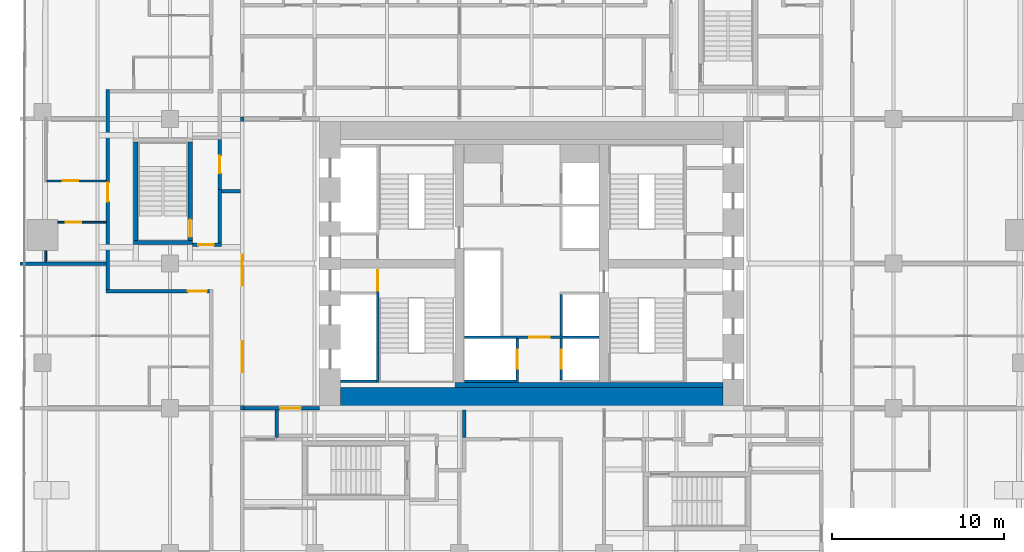
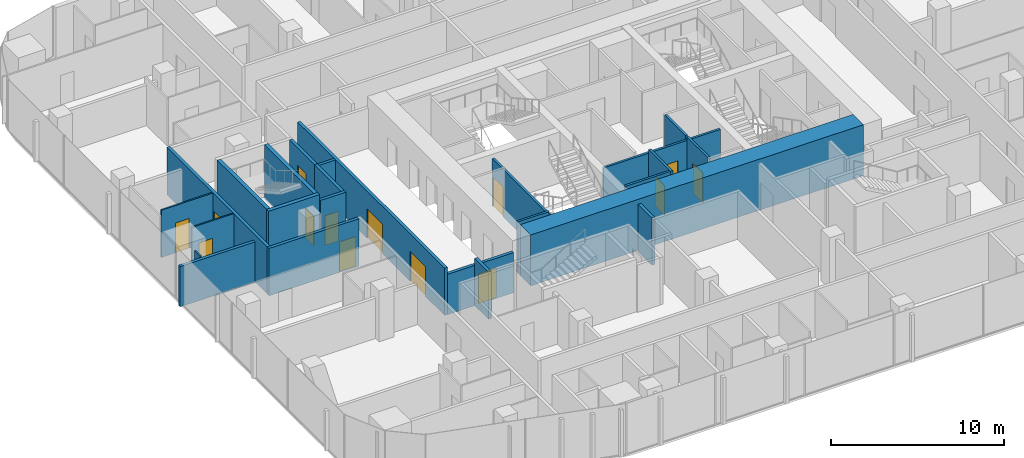
# One storey, part 18 of 27: 26 walls, 14 doors, 14 openings.
"""IFC4 building model written with IfcOpenShell, lengths in metres."""

from ifc_helpers import new_model, si_unit, direction, frame, frame_2d, origin, place, context, subcontext, project, spatial, rectangle, extrude, material, layer, layer_set, type_object, element, fill, save


model = new_model("IFC4")

# Units and contexts
model_context = context("Model", 3, precision=1e-05, world=origin(), true_north=direction((0.0, 1.0)))
body_context = subcontext(model_context, "Body", "Model", "MODEL_VIEW")
ifc_project = project(units=[si_unit("LENGTHUNIT", "METRE"), si_unit("AREAUNIT", "SQUARE_METRE"), si_unit("VOLUMEUNIT", "CUBIC_METRE"), si_unit("PLANEANGLEUNIT", "RADIAN"), si_unit("MASSUNIT", "GRAM", prefix="KILO")], contexts=[model_context])

# Site, building, storey
site_placement = place(None, origin())
site = spatial("IfcSite", under=ifc_project, at=site_placement, CompositionType="ELEMENT")
building_placement = place(site_placement, origin())
building = spatial("IfcBuilding", under=site, at=building_placement, Name="Marenta Gate Hotel Tower", CompositionType="ELEMENT")
storey_placement = place(building_placement, frame((0.0, 0.0, 36.5)))
storey = spatial("IfcBuildingStorey", under=building, at=storey_placement, Name="L06", CompositionType="ELEMENT", Elevation=36.5)

# Wall, openings, doors
ifc_material_1 = material(Name="Concrete blockwork", Category="masonry")
ifc_layer_1 = layer(ifc_material_1, 0.199951171875)
ifc_layer_set_1 = layer_set([ifc_layer_1], Name="Concrete blockwork")
wall_type_1 = type_object("IfcWallType", Name="Core boundary wall 200 REI 180", PredefinedType="PARTITIONING", material=ifc_layer_set_1)
wall_1_placement = place(storey_placement, frame((-16.800048828125, -0.10009765625, 0.0), z_axis=(0.0, 0.0, 1.0), x_axis=(0.0, 1.0, 0.0)))
wall_1 = element("IfcWall", 1, at=wall_1_placement, inside=storey, type_object=wall_type_1, Name="L06-CP-BW-W", PredefinedType="PARTITIONING", context=body_context, shape_type="SweptSolid", body=[
    extrude(rectangle(XDim=17.0, YDim=0.199951171875, at=frame_2d((8.5, 0.0))), origin(), (0.0, 0.0, 1.0), 3.340087890625),
])
opening_1_placement = place(wall_1_placement, frame((2.199951171875, 0.0, 0.0)))
opening_1 = element("IfcOpeningElement", 2, at=opening_1_placement, cuts=wall_1, Name="Opening ED-Wa-B", PredefinedType="OPENING", context=body_context, shape_type="SweptSolid", body=[
    extrude(rectangle(XDim=1.800048828125, YDim=2.10009765625, at=frame_2d((0.89990234375, 1.050048828125))), frame((0.0, 0.10009765625, 0.0), z_axis=(0.0, -1.0, 0.0), x_axis=(1.0, 0.0, 0.0)), (0.0, 0.0, 1.0), 0.199951171875),
])
opening_2_placement = place(wall_1_placement, frame((7.199951171875, 0.0, 0.0)))
opening_2 = element("IfcOpeningElement", 3, at=opening_2_placement, cuts=wall_1, Name="Opening ED-Wb-B", PredefinedType="OPENING", context=body_context, shape_type="SweptSolid", body=[
    extrude(rectangle(XDim=1.800048828125, YDim=2.10009765625, at=frame_2d((0.89990234375, 1.050048828125))), frame((0.0, 0.10009765625, 0.0), z_axis=(0.0, -1.0, 0.0), x_axis=(1.0, 0.0, 0.0)), (0.0, 0.0, 1.0), 0.199951171875),
])
ifc_material_2 = material(Name="Steel", Category="steel")
door_type_1 = type_object("IfcDoorType", Name="Core lobby entrance door 1800x2100 EI 60", OperationType="DOUBLE_DOOR_SINGLE_SWING", PredefinedType="DOOR", material=ifc_material_2)
door_1_placement = place(opening_1_placement, origin())
door_1 = element("IfcDoor", 4, at=door_1_placement, inside=storey, type_object=door_type_1, Name="ED-Wa-B", OperationType="DOUBLE_DOOR_SINGLE_SWING", OverallHeight=2.10009765625, OverallWidth=1.800048828125, PredefinedType="DOOR", context=body_context, shape_type="SweptSolid", body=[
    extrude(rectangle(XDim=1.800048828125, YDim=2.10009765625, at=frame_2d((0.89990234375, 1.050048828125))), frame((0.0, 0.02490234375, 0.0), z_axis=(0.0, -1.0, 0.0), x_axis=(1.0, 0.0, 0.0)), (0.0, 0.0, 1.0), 0.050048828125),
])
fill(opening_1, door_1)
door_2_placement = place(opening_2_placement, origin())
door_2 = element("IfcDoor", 5, at=door_2_placement, inside=storey, type_object=door_type_1, Name="ED-Wb-B", OperationType="DOUBLE_DOOR_SINGLE_SWING", OverallHeight=2.10009765625, OverallWidth=1.800048828125, PredefinedType="DOOR", context=body_context, shape_type="SweptSolid", body=[
    extrude(rectangle(XDim=1.800048828125, YDim=2.10009765625, at=frame_2d((0.89990234375, 1.050048828125))), frame((0.0, 0.02490234375, 0.0), z_axis=(0.0, -1.0, 0.0), x_axis=(1.0, 0.0, 0.0)), (0.0, 0.0, 1.0), 0.050048828125),
])
fill(opening_2, door_2)

# Wall, opening, door
wall_2_placement = place(storey_placement, frame((-16.699951171875, 0.0, 0.0), z_axis=(0.0, 0.0, 1.0), x_axis=(1.0, 0.0, 0.0)))
wall_2 = element("IfcWall", 6, at=wall_2_placement, inside=storey, type_object=wall_type_1, Name="L06-CP-EW-WS", PredefinedType="PARTITIONING", context=body_context, shape_type="SweptSolid", body=[
    extrude(rectangle(XDim=4.39990234375, YDim=0.199951171875, at=frame_2d((2.199951171875, 0.0))), origin(), (0.0, 0.0, 1.0), 2.840087890625),
])
opening_3_placement = place(wall_2_placement, frame((2.10009765625, 0.0, 0.0)))
opening_3 = element("IfcOpeningElement", 7, at=opening_3_placement, cuts=wall_2, Name="Opening RS-Z1-2", PredefinedType="OPENING", context=body_context, shape_type="SweptSolid", body=[
    extrude(rectangle(XDim=1.199951171875, YDim=2.10009765625, at=frame_2d((0.60009765625, 1.050048828125))), frame((0.0, 0.10009765625, 0.0), z_axis=(0.0, -1.0, 0.0), x_axis=(1.0, 0.0, 0.0)), (0.0, 0.0, 1.0), 0.199951171875),
])
ifc_material_3 = material(Name="Steel", Category="steel")
door_type_2 = type_object("IfcDoorType", Name="Core lobby door 1200x2100 EI 60", OperationType="SINGLE_SWING_LEFT", PredefinedType="DOOR", material=ifc_material_3)
door_3_placement = place(opening_3_placement, origin())
door_3 = element("IfcDoor", 8, at=door_3_placement, inside=storey, type_object=door_type_2, Name="RS-Z1-2", OperationType="SINGLE_SWING_LEFT", OverallHeight=2.10009765625, OverallWidth=1.199951171875, PredefinedType="DOOR", context=body_context, shape_type="SweptSolid", body=[
    extrude(rectangle(XDim=1.199951171875, YDim=2.10009765625, at=frame_2d((0.60009765625, 1.050048828125))), frame((0.0, 0.02490234375, 0.0), z_axis=(0.0, -1.0, 0.0), x_axis=(1.0, 0.0, 0.0)), (0.0, 0.0, 1.0), 0.050048828125),
])
fill(opening_3, door_3)

# Wall
ifc_material_4 = material(Name="Concrete C40", Category="concrete")
ifc_layer_2 = layer(ifc_material_4, 0.300048828125)
ifc_layer_set_2 = layer_set([ifc_layer_2], Name="Concrete C40")
wall_type_2 = type_object("IfcWallType", Name="Core lining wall 300 REI 180", PredefinedType="PARTITIONING", material=ifc_layer_set_2)
wall_3_placement = place(storey_placement, frame((-11.10009765625, 1.35009765625, 0.0), z_axis=(0.0, 0.0, 1.0), x_axis=(1.0, 0.0, 0.0)))
element("IfcWall", 9, at=wall_3_placement, inside=storey, type_object=wall_type_2, Name="L06-CP-LN-S", PredefinedType="PARTITIONING", context=body_context, shape_type="SweptSolid", body=[
    extrude(rectangle(XDim=22.2001953125, YDim=0.300048828125, at=frame_2d((11.10009765625, 0.0))), origin(), (0.0, 0.0, 1.0), 3.340087890625),
])

# Wall, opening, door
ifc_material_5 = material(Name="Concrete blockwork", Category="masonry")
ifc_layer_3 = layer(ifc_material_5, 0.14990234375)
ifc_layer_set_3 = layer_set([ifc_layer_3], Name="Concrete blockwork")
wall_type_3 = type_object("IfcWallType", Name="Core lobby partition 150 REI 180", PredefinedType="PARTITIONING", material=ifc_layer_set_3)
wall_4_placement = place(storey_placement, frame((-3.89990234375, 4.125, 0.0), z_axis=(0.0, 0.0, 1.0), x_axis=(1.0, 0.0, 0.0)))
wall_4 = element("IfcWall", 10, at=wall_4_placement, inside=storey, type_object=wall_type_3, Name="L06-CP-CW-S", PredefinedType="PARTITIONING", context=body_context, shape_type="SweptSolid", body=[
    extrude(rectangle(XDim=7.7998046875, YDim=0.14990234375, at=frame_2d((3.89990234375, 0.0))), origin(), (0.0, 0.0, 1.0), 3.340087890625),
])
opening_4_placement = place(wall_4_placement, frame((3.75, 0.0, 0.0)))
opening_4 = element("IfcOpeningElement", 11, at=opening_4_placement, cuts=wall_4, Name="Opening FD-FFS", PredefinedType="OPENING", context=body_context, shape_type="SweptSolid", body=[
    extrude(rectangle(XDim=1.199951171875, YDim=2.10009765625, at=frame_2d((0.60009765625, 1.050048828125))), frame((0.0, 0.074951171875, 0.0), z_axis=(0.0, -1.0, 0.0), x_axis=(1.0, 0.0, 0.0)), (0.0, 0.0, 1.0), 0.14990234375),
])
ifc_material_6 = material(Name="Steel", Category="steel")
door_type_3 = type_object("IfcDoorType", Name="Core lobby door 1200x2100 FD60", OperationType="SINGLE_SWING_LEFT", PredefinedType="DOOR", material=ifc_material_6)
door_4_placement = place(opening_4_placement, origin())
door_4 = element("IfcDoor", 12, at=door_4_placement, inside=storey, type_object=door_type_3, Name="FD-FFS", OperationType="SINGLE_SWING_LEFT", OverallHeight=2.10009765625, OverallWidth=1.199951171875, PredefinedType="DOOR", context=body_context, shape_type="SweptSolid", body=[
    extrude(rectangle(XDim=1.199951171875, YDim=2.10009765625, at=frame_2d((0.60009765625, 1.050048828125))), frame((0.0, 0.02490234375, 0.0), z_axis=(0.0, -1.0, 0.0), x_axis=(1.0, 0.0, 0.0)), (0.0, 0.0, 1.0), 0.050048828125),
])
fill(opening_4, door_4)

# Wall
ifc_material_7 = material(Name="Concrete C40", Category="concrete")
ifc_layer_4 = layer(ifc_material_7, 0.14990234375)
ifc_layer_set_4 = layer_set([ifc_layer_4], Name="Concrete C40")
wall_type_4 = type_object("IfcWallType", Name="Core shaft wall 150 REI 180", PredefinedType="SHEAR", material=ifc_layer_set_4)
wall_5_placement = place(storey_placement, frame((-11.10009765625, 1.574951171875, 0.0), z_axis=(0.0, 0.0, 1.0), x_axis=(1.0, 0.0, 0.0)))
element("IfcWall", 13, at=wall_5_placement, inside=storey, type_object=wall_type_4, Name="L06-SHF-SW-WS-5", PredefinedType="SHEAR", context=body_context, shape_type="SweptSolid", body=[
    extrude(rectangle(XDim=2.10009765625, YDim=0.14990234375, at=frame_2d((1.050048828125, 0.0))), origin(), (0.0, 0.0, 1.0), 3.60009765625),
])

# Wall, opening, door
wall_6_placement = place(storey_placement, frame((-0.824951171875, 1.5, 0.0), z_axis=(0.0, 0.0, 1.0), x_axis=(0.0, 1.0, 0.0)))
wall_6 = element("IfcWall", 14, at=wall_6_placement, inside=storey, type_object=wall_type_4, Name="L06-SHF-CW-W-ff", PredefinedType="SHEAR", context=body_context, shape_type="SweptSolid", body=[
    extrude(rectangle(XDim=2.550048828125, YDim=0.14990234375, at=frame_2d((1.27490234375, 0.0))), origin(), (0.0, 0.0, 1.0), 3.60009765625),
])
opening_5_placement = place(wall_6_placement, frame((0.800048828125, 0.0, 0.0)))
opening_5 = element("IfcOpeningElement", 15, at=opening_5_placement, cuts=wall_6, Name="Opening LD-FF1", PredefinedType="OPENING", context=body_context, shape_type="SweptSolid", body=[
    extrude(rectangle(XDim=1.10009765625, YDim=2.10009765625, at=frame_2d((0.550048828125, 1.050048828125))), frame((0.0, 0.074951171875, 0.0), z_axis=(0.0, -1.0, 0.0), x_axis=(1.0, 0.0, 0.0)), (0.0, 0.0, 1.0), 0.14990234375),
])
ifc_material_8 = material(Name="Steel", Category="steel")
door_type_4 = type_object("IfcDoorType", Name="Core lift landing door 1100x2100 E 60", OperationType="SLIDING_TO_LEFT", PredefinedType="DOOR", material=ifc_material_8)
door_5_placement = place(opening_5_placement, origin())
door_5 = element("IfcDoor", 16, at=door_5_placement, inside=storey, type_object=door_type_4, Name="LD-FF1", OperationType="SLIDING_TO_LEFT", OverallHeight=2.10009765625, OverallWidth=1.10009765625, PredefinedType="DOOR", context=body_context, shape_type="SweptSolid", body=[
    extrude(rectangle(XDim=1.10009765625, YDim=2.10009765625, at=frame_2d((0.550048828125, 1.050048828125))), frame((0.0, 0.02490234375, 0.0), z_axis=(0.0, -1.0, 0.0), x_axis=(1.0, 0.0, 0.0)), (0.0, 0.0, 1.0), 0.050048828125),
])
fill(opening_5, door_5)

# Wall
wall_7_placement = place(storey_placement, frame((-3.89990234375, 1.574951171875, 0.0), z_axis=(0.0, 0.0, 1.0), x_axis=(1.0, 0.0, 0.0)))
element("IfcWall", 17, at=wall_7_placement, inside=storey, type_object=wall_type_4, Name="L06-SHF-CW-W-ffs", PredefinedType="SHEAR", context=body_context, shape_type="SweptSolid", body=[
    extrude(rectangle(XDim=3.0, YDim=0.14990234375, at=frame_2d((1.5, 0.0))), origin(), (0.0, 0.0, 1.0), 3.60009765625),
])

# Wall, opening, door
wall_8_placement = place(storey_placement, frame((1.72509765625, 1.64990234375, 0.0), z_axis=(0.0, 0.0, 1.0), x_axis=(0.0, 1.0, 0.0)))
wall_8 = element("IfcWall", 18, at=wall_8_placement, inside=storey, type_object=wall_type_4, Name="L06-SHF-CE-S-ls", PredefinedType="SHEAR", context=body_context, shape_type="SweptSolid", body=[
    extrude(rectangle(XDim=2.400146484375, YDim=0.14990234375, at=frame_2d((1.2001953125, 0.0))), origin(), (0.0, 0.0, 1.0), 3.60009765625),
])
opening_6_placement = place(wall_8_placement, frame((0.64990234375, 0.0, 0.0)))
opening_6 = element("IfcOpeningElement", 19, at=opening_6_placement, cuts=wall_8, Name="Opening LD-SV1", PredefinedType="OPENING", context=body_context, shape_type="SweptSolid", body=[
    extrude(rectangle(XDim=1.10009765625, YDim=2.10009765625, at=frame_2d((0.550048828125, 1.050048828125))), frame((0.0, 0.074951171875, 0.0), z_axis=(0.0, -1.0, 0.0), x_axis=(1.0, 0.0, 0.0)), (0.0, 0.0, 1.0), 0.14990234375),
])
door_6_placement = place(opening_6_placement, origin())
door_6 = element("IfcDoor", 20, at=door_6_placement, inside=storey, type_object=door_type_4, Name="LD-SV1", OperationType="SLIDING_TO_LEFT", OverallHeight=2.10009765625, OverallWidth=1.10009765625, PredefinedType="DOOR", context=body_context, shape_type="SweptSolid", body=[
    extrude(rectangle(XDim=1.10009765625, YDim=2.10009765625, at=frame_2d((0.550048828125, 1.050048828125))), frame((0.0, 0.02490234375, 0.0), z_axis=(0.0, -1.0, 0.0), x_axis=(1.0, 0.0, 0.0)), (0.0, 0.0, 1.0), 0.050048828125),
])
fill(opening_6, door_6)

# Wall
wall_9_placement = place(storey_placement, frame((1.72509765625, 4.199951171875, 0.0), z_axis=(0.0, 0.0, 1.0), x_axis=(0.0, 1.0, 0.0)))
element("IfcWall", 21, at=wall_9_placement, inside=storey, type_object=wall_type_4, Name="L06-SHF-CE-front-1", PredefinedType="SHEAR", context=body_context, shape_type="SweptSolid", body=[
    extrude(rectangle(XDim=2.400146484375, YDim=0.14990234375, at=frame_2d((1.2001953125, 0.0))), origin(), (0.0, 0.0, 1.0), 3.60009765625),
])

# Wall, opening, door
ifc_material_9 = material(Name="Concrete C40", Category="concrete")
ifc_layer_5 = layer(ifc_material_9, 0.14990234375)
ifc_layer_set_5 = layer_set([ifc_layer_5], Name="Concrete C40")
wall_type_5 = type_object("IfcWallType", Name="Core stair enclosure wall 150 REI 180", PredefinedType="SHEAR", material=ifc_layer_set_5)
wall_10_placement = place(storey_placement, frame((-8.925048828125, 1.5, 0.0), z_axis=(0.0, 0.0, 1.0), x_axis=(0.0, 1.0, 0.0)))
wall_10 = element("IfcWall", 22, at=wall_10_placement, inside=storey, type_object=wall_type_5, Name="L06-SHF-SW-WS-3", PredefinedType="SHEAR", context=body_context, shape_type="SweptSolid", body=[
    extrude(rectangle(XDim=6.60009765625, YDim=0.14990234375, at=frame_2d((3.300048828125, 0.0))), origin(), (0.0, 0.0, 1.0), 3.340087890625),
])
opening_7_placement = place(wall_10_placement, frame((5.324951171875, 0.0, 0.0)))
opening_7 = element("IfcOpeningElement", 23, at=opening_7_placement, cuts=wall_10, Name="Opening SD-WS", PredefinedType="OPENING", context=body_context, shape_type="SweptSolid", body=[
    extrude(rectangle(XDim=1.199951171875, YDim=2.10009765625, at=frame_2d((0.60009765625, 1.050048828125))), frame((0.0, 0.074951171875, 0.0), z_axis=(0.0, -1.0, 0.0), x_axis=(1.0, 0.0, 0.0)), (0.0, 0.0, 1.0), 0.14990234375),
])
ifc_material_10 = material(Name="Steel", Category="steel")
door_type_5 = type_object("IfcDoorType", Name="Core stair door 1200x2100 FD60", OperationType="SINGLE_SWING_LEFT", PredefinedType="DOOR", material=ifc_material_10)
door_7_placement = place(opening_7_placement, origin())
door_7 = element("IfcDoor", 24, at=door_7_placement, inside=storey, type_object=door_type_5, Name="SD-WS", OperationType="SINGLE_SWING_LEFT", OverallHeight=2.10009765625, OverallWidth=1.199951171875, PredefinedType="DOOR", context=body_context, shape_type="SweptSolid", body=[
    extrude(rectangle(XDim=1.199951171875, YDim=2.10009765625, at=frame_2d((0.60009765625, 1.050048828125))), frame((0.0, 0.02490234375, 0.0), z_axis=(0.0, -1.0, 0.0), x_axis=(1.0, 0.0, 0.0)), (0.0, 0.0, 1.0), 0.050048828125),
])
fill(opening_7, door_7)

# Walls
ifc_material_11 = material(Name="Concrete C80", Category="concrete")
ifc_layer_6 = layer(ifc_material_11, 1.199951171875)
ifc_layer_set_6 = layer_set([ifc_layer_6], Name="Concrete C80")
wall_type_6 = type_object("IfcWallType", Name="Core wall 1200 C80", PredefinedType="SHEAR", material=ifc_layer_set_6)
wall_11_placement = place(storey_placement, frame((-11.10009765625, 0.60009765625, 0.0), z_axis=(0.0, 0.0, 1.0), x_axis=(1.0, 0.0, 0.0)))
element("IfcWall", 25, at=wall_11_placement, inside=storey, type_object=wall_type_6, Name="L06-CORE-S", PredefinedType="SHEAR", context=body_context, shape_type="SweptSolid", body=[
    extrude(rectangle(XDim=22.2001953125, YDim=1.199951171875, at=frame_2d((11.10009765625, 0.0))), origin(), (0.0, 0.0, 1.0), 3.60009765625),
])
ifc_material_12 = material(Name="Concrete C40", Category="concrete")
ifc_layer_7 = layer(ifc_material_12, 0.25)
ifc_layer_set_7 = layer_set([ifc_layer_7], Name="Concrete C40")
wall_type_7 = type_object("IfcWallType", Name="Remote stair enclosure wall 250 REI 180", PredefinedType="SHEAR", material=ifc_layer_set_7)
wall_12_placement = place(storey_placement, frame((-23.10009765625, 9.625, -0.14990234375), z_axis=(0.0, 0.0, 1.0), x_axis=(1.0, 0.0, 0.0)))
element("IfcWall", 26, at=wall_12_placement, inside=storey, type_object=wall_type_7, Name="L06-RS-Z1-3-W1", PredefinedType="SHEAR", context=body_context, shape_type="SweptSolid", body=[
    extrude(rectangle(XDim=3.400146484375, YDim=0.25, at=frame_2d((1.7001953125, 0.0))), origin(), (0.0, 0.0, 1.0), 3.849853515625),
])
wall_13_placement = place(storey_placement, frame((-22.97509765625, 9.75, -0.14990234375), z_axis=(0.0, 0.0, 1.0), x_axis=(0.0, 1.0, 0.0)))
element("IfcWall", 27, at=wall_13_placement, inside=storey, type_object=wall_type_7, Name="L06-RS-Z1-3-W3", PredefinedType="SHEAR", context=body_context, shape_type="SweptSolid", body=[
    extrude(rectangle(XDim=5.699951171875, YDim=0.25, at=frame_2d((2.85009765625, 0.0))), origin(), (0.0, 0.0, 1.0), 3.849853515625),
])

# Wall, opening, door
wall_14_placement = place(storey_placement, frame((-19.824951171875, 9.75, -0.14990234375), z_axis=(0.0, 0.0, 1.0), x_axis=(0.0, 1.0, 0.0)))
wall_14 = element("IfcWall", 28, at=wall_14_placement, inside=storey, type_object=wall_type_7, Name="L06-RS-Z1-3-W4", PredefinedType="SHEAR", context=body_context, shape_type="SweptSolid", body=[
    extrude(rectangle(XDim=5.699951171875, YDim=0.25, at=frame_2d((2.85009765625, 0.0))), origin(), (0.0, 0.0, 1.0), 3.849853515625),
])
opening_8_placement = place(wall_14_placement, frame((0.199951171875, 0.0, 0.0)))
opening_8 = element("IfcOpeningElement", 29, at=opening_8_placement, cuts=wall_14, Name="Opening VD", PredefinedType="OPENING", context=body_context, shape_type="SweptSolid", body=[
    extrude(rectangle(XDim=1.0, YDim=2.10009765625, at=frame_2d((0.5, 1.050048828125))), frame((0.0, 0.125, 0.0), z_axis=(0.0, -1.0, 0.0), x_axis=(1.0, 0.0, 0.0)), (0.0, 0.0, 1.0), 0.25),
])
ifc_material_13 = material(Name="Steel", Category="steel")
door_type_6 = type_object("IfcDoorType", Name="Stair vestibule door 1000x2100 FD60", OperationType="SINGLE_SWING_LEFT", PredefinedType="DOOR", material=ifc_material_13)
door_8_placement = place(opening_8_placement, origin())
door_8 = element("IfcDoor", 30, at=door_8_placement, inside=storey, type_object=door_type_6, Name="VD", OperationType="SINGLE_SWING_LEFT", OverallHeight=2.10009765625, OverallWidth=1.0, PredefinedType="DOOR", context=body_context, shape_type="SweptSolid", body=[
    extrude(rectangle(XDim=1.0, YDim=2.10009765625, at=frame_2d((0.5, 1.050048828125))), frame((0.0, 0.02490234375, 0.0), z_axis=(0.0, -1.0, 0.0), x_axis=(1.0, 0.0, 0.0)), (0.0, 0.0, 1.0), 0.050048828125),
])
fill(opening_8, door_8)

ifc_material_14 = material(Name="Gypsum board on steel stud", Category="steel")
ifc_layer_8 = layer(ifc_material_14, 0.199951171875)
ifc_layer_set_8 = layer_set([ifc_layer_8], Name="Gypsum board on steel stud")
wall_type_8 = type_object("IfcWallType", Name="Room corridor wall 200 EI 60", PredefinedType="PARTITIONING", material=ifc_layer_set_8)
wall_15_placement = place(storey_placement, frame((-24.699951171875, 6.800048828125, 0.0), z_axis=(0.0, 0.0, 1.0), x_axis=(1.0, 0.0, 0.0)))
wall_15 = element("IfcWall", 31, at=wall_15_placement, inside=storey, type_object=wall_type_8, Name="L06-PTN-W094", PredefinedType="PARTITIONING", context=body_context, shape_type="SweptSolid", body=[
    extrude(rectangle(XDim=6.0, YDim=0.199951171875, at=frame_2d((3.0, 0.0))), origin(), (0.0, 0.0, 1.0), 3.340087890625),
])
opening_9_placement = place(wall_15_placement, frame((4.75, 0.0, 0.0)))
opening_9 = element("IfcOpeningElement", 32, at=opening_9_placement, cuts=wall_15, Name="Opening G01-48", PredefinedType="OPENING", context=body_context, shape_type="SweptSolid", body=[
    extrude(rectangle(XDim=1.10009765625, YDim=2.10009765625, at=frame_2d((0.550048828125, 1.050048828125))), frame((0.0, 0.10009765625, 0.0), z_axis=(0.0, -1.0, 0.0), x_axis=(1.0, 0.0, 0.0)), (0.0, 0.0, 1.0), 0.199951171875),
])
ifc_material_15 = material(Name="Timber door leaf", Category="wood")
door_type_7 = type_object("IfcDoorType", Name="Guest room door 1100x2100 EI 30", OperationType="NOTDEFINED", PredefinedType="DOOR", material=ifc_material_15)
door_9_placement = place(opening_9_placement, origin())
door_9 = element("IfcDoor", 33, at=door_9_placement, inside=storey, type_object=door_type_7, Name="L06-PD-D048", OperationType="SINGLE_SWING_LEFT", OverallHeight=2.10009765625, OverallWidth=1.10009765625, PredefinedType="DOOR", context=body_context, shape_type="SweptSolid", body=[
    extrude(rectangle(XDim=1.10009765625, YDim=2.10009765625, at=frame_2d((0.550048828125, 1.050048828125))), frame((0.0, 0.02490234375, 0.0), z_axis=(0.0, -1.0, 0.0), x_axis=(1.0, 0.0, 0.0)), (0.0, 0.0, 1.0), 0.050048828125),
])
fill(opening_9, door_9)

wall_16_placement = place(storey_placement, frame((-24.60009765625, 6.89990234375, 0.0), z_axis=(0.0, 0.0, 1.0), x_axis=(0.0, 1.0, 0.0)))
wall_16 = element("IfcWall", 34, at=wall_16_placement, inside=storey, type_object=wall_type_8, Name="L06-PTN-W147", PredefinedType="PARTITIONING", context=body_context, shape_type="SweptSolid", body=[
    extrude(rectangle(XDim=11.60009765625, YDim=0.199951171875, at=frame_2d((5.800048828125, 0.0))), origin(), (0.0, 0.0, 1.0), 3.340087890625),
])
opening_10_placement = place(wall_16_placement, frame((5.10009765625, 0.0, 0.0)))
opening_10 = element("IfcOpeningElement", 35, at=opening_10_placement, cuts=wall_16, Name="Opening G01-51", PredefinedType="OPENING", context=body_context, shape_type="SweptSolid", body=[
    extrude(rectangle(XDim=1.10009765625, YDim=2.10009765625, at=frame_2d((0.550048828125, 1.050048828125))), frame((0.0, 0.10009765625, 0.0), z_axis=(0.0, -1.0, 0.0), x_axis=(1.0, 0.0, 0.0)), (0.0, 0.0, 1.0), 0.199951171875),
])
door_10_placement = place(opening_10_placement, origin())
door_10 = element("IfcDoor", 36, at=door_10_placement, inside=storey, type_object=door_type_7, Name="L06-PD-D051", OperationType="SINGLE_SWING_RIGHT", OverallHeight=2.10009765625, OverallWidth=1.10009765625, PredefinedType="DOOR", context=body_context, shape_type="SweptSolid", body=[
    extrude(rectangle(XDim=1.10009765625, YDim=2.10009765625, at=frame_2d((0.550048828125, 1.050048828125))), frame((0.0, 0.02490234375, 0.0), z_axis=(0.0, -1.0, 0.0), x_axis=(1.0, 0.0, 0.0)), (0.0, 0.0, 1.0), 0.050048828125),
])
fill(opening_10, door_10)

# Wall
ifc_material_16 = material(Name="Concrete blockwork", Category="masonry")
ifc_layer_9 = layer(ifc_material_16, 0.199951171875)
ifc_layer_set_9 = layer_set([ifc_layer_9], Name="Concrete blockwork")
wall_type_9 = type_object("IfcWallType", Name="Room corridor wall 200 REI 180", PredefinedType="PARTITIONING", material=ifc_layer_set_9)
wall_17_placement = place(storey_placement, frame((-3.89990234375, -1.699951171875, 0.0), z_axis=(0.0, 0.0, 1.0), x_axis=(0.0, 1.0, 0.0)))
element("IfcWall", 37, at=wall_17_placement, inside=storey, type_object=wall_type_9, Name="L06-PTN-W084", PredefinedType="PARTITIONING", context=body_context, shape_type="SweptSolid", body=[
    extrude(rectangle(XDim=1.599853515625, YDim=0.199951171875, at=frame_2d((0.7998046875, 0.0))), origin(), (0.0, 0.0, 1.0), 3.340087890625),
])

# Wall, opening, door
wall_18_placement = place(storey_placement, frame((-19.699951171875, 9.5, 0.0), z_axis=(0.0, 0.0, 1.0), x_axis=(1.0, 0.0, 0.0)))
wall_18 = element("IfcWall", 38, at=wall_18_placement, inside=storey, type_object=wall_type_9, Name="L06-PTN-W099", PredefinedType="PARTITIONING", context=body_context, shape_type="SweptSolid", body=[
    extrude(rectangle(XDim=1.699951171875, YDim=0.199951171875, at=frame_2d((0.85009765625, 0.0))), origin(), (0.0, 0.0, 1.0), 3.340087890625),
])
opening_11_placement = place(wall_18_placement, frame((0.35009765625, 0.0, 0.0)))
opening_11 = element("IfcOpeningElement", 39, at=opening_11_placement, cuts=wall_18, Name="Opening G01-63", PredefinedType="OPENING", context=body_context, shape_type="SweptSolid", body=[
    extrude(rectangle(XDim=0.89990234375, YDim=2.10009765625, at=frame_2d((0.449951171875, 1.050048828125))), frame((0.0, 0.10009765625, 0.0), z_axis=(0.0, -1.0, 0.0), x_axis=(1.0, 0.0, 0.0)), (0.0, 0.0, 1.0), 0.199951171875),
])
ifc_material_17 = material(Name="Hollow steel door set", Category="steel")
door_type_8 = type_object("IfcDoorType", Name="Stair vestibule door 900x2100 EI 60", OperationType="NOTDEFINED", PredefinedType="DOOR", material=ifc_material_17)
door_11_placement = place(opening_11_placement, origin())
door_11 = element("IfcDoor", 40, at=door_11_placement, inside=storey, type_object=door_type_8, Name="L06-PD-D063", OperationType="SINGLE_SWING_RIGHT", OverallHeight=2.10009765625, OverallWidth=0.89990234375, PredefinedType="DOOR", context=body_context, shape_type="SweptSolid", body=[
    extrude(rectangle(XDim=0.89990234375, YDim=2.10009765625, at=frame_2d((0.449951171875, 1.050048828125))), frame((0.0, 0.02490234375, 0.0), z_axis=(0.0, -1.0, 0.0), x_axis=(1.0, 0.0, 0.0)), (0.0, 0.0, 1.0), 0.050048828125),
])
fill(opening_11, door_11)

# Walls
wall_19_placement = place(storey_placement, frame((-18.0, 12.60009765625, 0.0), z_axis=(0.0, 0.0, 1.0), x_axis=(1.0, 0.0, 0.0)))
element("IfcWall", 41, at=wall_19_placement, inside=storey, type_object=wall_type_9, Name="L06-PTN-W107", PredefinedType="PARTITIONING", context=body_context, shape_type="SweptSolid", body=[
    extrude(rectangle(XDim=1.10009765625, YDim=0.199951171875, at=frame_2d((0.550048828125, 0.0))), origin(), (0.0, 0.0, 1.0), 3.340087890625),
])
wall_20_placement = place(storey_placement, frame((-14.800048828125, -1.699951171875, 0.0), z_axis=(0.0, 0.0, 1.0), x_axis=(0.0, 1.0, 0.0)))
element("IfcWall", 42, at=wall_20_placement, inside=storey, type_object=wall_type_9, Name="L06-PTN-W112", PredefinedType="PARTITIONING", context=body_context, shape_type="SweptSolid", body=[
    extrude(rectangle(XDim=1.599853515625, YDim=0.199951171875, at=frame_2d((0.7998046875, 0.0))), origin(), (0.0, 0.0, 1.0), 3.340087890625),
])
wall_21_placement = place(storey_placement, frame((-18.10009765625, 9.60009765625, 0.0), z_axis=(0.0, 0.0, 1.0), x_axis=(0.0, 1.0, 0.0)))
element("IfcWall", 43, at=wall_21_placement, inside=storey, type_object=wall_type_9, Name="L06-PTN-W122", PredefinedType="PARTITIONING", context=body_context, shape_type="SweptSolid", body=[
    extrude(rectangle(XDim=3.099853515625, YDim=0.199951171875, at=frame_2d((1.5498046875, 0.0))), origin(), (0.0, 0.0, 1.0), 3.340087890625),
])

# Wall, opening, door
ifc_material_18 = material(Name="Gypsum board on steel stud", Category="steel")
ifc_layer_10 = layer(ifc_material_18, 0.10009765625)
ifc_layer_set_10 = layer_set([ifc_layer_10], Name="Gypsum board on steel stud")
wall_type_10 = type_object("IfcWallType", Name="Room partition 100", PredefinedType="PARTITIONING", material=ifc_layer_set_10)
wall_22_placement = place(storey_placement, frame((-27.5, 10.800048828125, 0.0), z_axis=(0.0, 0.0, 1.0), x_axis=(1.0, 0.0, 0.0)))
wall_22 = element("IfcWall", 44, at=wall_22_placement, inside=storey, type_object=wall_type_10, Name="L06-PTN-W101", PredefinedType="PARTITIONING", context=body_context, shape_type="SweptSolid", body=[
    extrude(rectangle(XDim=2.800048828125, YDim=0.10009765625, at=frame_2d((1.39990234375, 0.0))), origin(), (0.0, 0.0, 1.0), 3.340087890625),
])
opening_12_placement = place(wall_22_placement, frame((0.469970703125, 0.0, 0.0)))
opening_12 = element("IfcOpeningElement", 45, at=opening_12_placement, cuts=wall_22, Name="Opening G01-53", PredefinedType="OPENING", context=body_context, shape_type="SweptSolid", body=[
    extrude(rectangle(XDim=0.89990234375, YDim=2.10009765625, at=frame_2d((0.449951171875, 1.050048828125))), frame((0.0, 0.050048828125, 0.0), z_axis=(0.0, -1.0, 0.0), x_axis=(1.0, 0.0, 0.0)), (0.0, 0.0, 1.0), 0.10009765625),
])
ifc_material_19 = material(Name="Timber door leaf", Category="wood")
door_type_9 = type_object("IfcDoorType", Name="Room inner door 900x2100", OperationType="NOTDEFINED", PredefinedType="DOOR", material=ifc_material_19)
door_12_placement = place(opening_12_placement, origin())
door_12 = element("IfcDoor", 46, at=door_12_placement, inside=storey, type_object=door_type_9, Name="L06-PD-D053", OperationType="SINGLE_SWING_RIGHT", OverallHeight=2.10009765625, OverallWidth=0.89990234375, PredefinedType="DOOR", context=body_context, shape_type="SweptSolid", body=[
    extrude(rectangle(XDim=0.89990234375, YDim=2.10009765625, at=frame_2d((0.449951171875, 1.050048828125))), frame((0.0, 0.02490234375, 0.0), z_axis=(0.0, -1.0, 0.0), x_axis=(1.0, 0.0, 0.0)), (0.0, 0.0, 1.0), 0.050048828125),
])
fill(opening_12, door_12)

wall_23_placement = place(storey_placement, frame((-28.14990234375, 13.199951171875, 0.0), z_axis=(0.0, 0.0, 1.0), x_axis=(1.0, 0.0, 0.0)))
wall_23 = element("IfcWall", 47, at=wall_23_placement, inside=storey, type_object=wall_type_10, Name="L06-PTN-W110", PredefinedType="PARTITIONING", context=body_context, shape_type="SweptSolid", body=[
    extrude(rectangle(XDim=3.449951171875, YDim=0.10009765625, at=frame_2d((1.72509765625, 0.0))), origin(), (0.0, 0.0, 1.0), 3.340087890625),
])
opening_13_placement = place(wall_23_placement, frame((0.93994140625, 0.0, 0.0)))
opening_13 = element("IfcOpeningElement", 48, at=opening_13_placement, cuts=wall_23, Name="Opening G01-52", PredefinedType="OPENING", context=body_context, shape_type="SweptSolid", body=[
    extrude(rectangle(XDim=0.89990234375, YDim=2.10009765625, at=frame_2d((0.449951171875, 1.050048828125))), frame((0.0, 0.050048828125, 0.0), z_axis=(0.0, -1.0, 0.0), x_axis=(1.0, 0.0, 0.0)), (0.0, 0.0, 1.0), 0.10009765625),
])
ifc_material_20 = material(Name="Timber door leaf", Category="wood")
door_type_10 = type_object("IfcDoorType", Name="Guest bathroom door 900x2100", OperationType="NOTDEFINED", PredefinedType="DOOR", material=ifc_material_20)
door_13_placement = place(opening_13_placement, origin())
door_13 = element("IfcDoor", 49, at=door_13_placement, inside=storey, type_object=door_type_10, Name="L06-PD-D052", OperationType="SINGLE_SWING_LEFT", OverallHeight=2.10009765625, OverallWidth=0.89990234375, PredefinedType="DOOR", context=body_context, shape_type="SweptSolid", body=[
    extrude(rectangle(XDim=0.89990234375, YDim=2.10009765625, at=frame_2d((0.449951171875, 1.050048828125))), frame((0.0, 0.02490234375, 0.0), z_axis=(0.0, -1.0, 0.0), x_axis=(1.0, 0.0, 0.0)), (0.0, 0.0, 1.0), 0.050048828125),
])
fill(opening_13, door_13)

# Walls
wall_24_placement = place(storey_placement, frame((-28.199951171875, 8.5, 0.0), z_axis=(0.0, 0.0, 1.0), x_axis=(0.0, 1.0, 0.0)))
element("IfcWall", 50, at=wall_24_placement, inside=storey, type_object=wall_type_10, Name="L06-PTN-W157", PredefinedType="PARTITIONING", context=body_context, shape_type="SweptSolid", body=[
    extrude(rectangle(XDim=0.64990234375, YDim=0.10009765625, at=frame_2d((0.324951171875, 0.0))), origin(), (0.0, 0.0, 1.0), 2.93994140625),
])
ifc_material_21 = material(Name="Gypsum board on steel stud", Category="steel")
ifc_layer_11 = layer(ifc_material_21, 0.199951171875)
ifc_layer_set_11 = layer_set([ifc_layer_11], Name="Gypsum board on steel stud")
wall_type_11 = type_object("IfcWallType", Name="Room party wall 200 EI 60", PredefinedType="PARTITIONING", material=ifc_layer_set_11)
wall_25_placement = place(storey_placement, frame((-29.699951171875, 8.39990234375, 0.0), z_axis=(0.0, 0.0, 1.0), x_axis=(1.0, 0.0, 0.0)))
element("IfcWall", 51, at=wall_25_placement, inside=storey, type_object=wall_type_11, Name="L06-PTN-W097", PredefinedType="PARTITIONING", context=body_context, shape_type="SweptSolid", body=[
    extrude(rectangle(XDim=5.0, YDim=0.199951171875, at=frame_2d((2.5, 0.0))), origin(), (0.0, 0.0, 1.0), 2.840087890625),
])

# Wall, opening, door
ifc_material_22 = material(Name="Concrete blockwork", Category="masonry")
ifc_layer_12 = layer(ifc_material_22, 0.199951171875)
ifc_layer_set_12 = layer_set([ifc_layer_12], Name="Concrete blockwork")
wall_type_12 = type_object("IfcWallType", Name="Room party wall 200 REI 180", PredefinedType="PARTITIONING", material=ifc_layer_set_12)
wall_26_placement = place(storey_placement, frame((-18.10009765625, 12.699951171875, 0.0), z_axis=(0.0, 0.0, 1.0), x_axis=(0.0, 1.0, 0.0)))
wall_26 = element("IfcWall", 52, at=wall_26_placement, inside=storey, type_object=wall_type_12, Name="L06-PTN-W124", PredefinedType="PARTITIONING", context=body_context, shape_type="SweptSolid", body=[
    extrude(rectangle(XDim=2.900146484375, YDim=0.199951171875, at=frame_2d((1.4501953125, 0.0))), origin(), (0.0, 0.0, 1.0), 3.340087890625),
])
opening_14_placement = place(wall_26_placement, frame((0.949951171875, 0.0, 0.0)))
opening_14 = element("IfcOpeningElement", 53, at=opening_14_placement, cuts=wall_26, Name="Opening G01-64", PredefinedType="OPENING", context=body_context, shape_type="SweptSolid", body=[
    extrude(rectangle(XDim=1.0, YDim=2.10009765625, at=frame_2d((0.5, 1.050048828125))), frame((0.0, 0.10009765625, 0.0), z_axis=(0.0, -1.0, 0.0), x_axis=(1.0, 0.0, 0.0)), (0.0, 0.0, 1.0), 0.199951171875),
])
ifc_material_23 = material(Name="Hollow steel door set", Category="steel")
door_type_11 = type_object("IfcDoorType", Name="Stair vestibule door 1000x2100 EI 60", OperationType="NOTDEFINED", PredefinedType="DOOR", material=ifc_material_23)
door_14_placement = place(opening_14_placement, origin())
door_14 = element("IfcDoor", 54, at=door_14_placement, inside=storey, type_object=door_type_11, Name="L06-PD-D064", OperationType="SINGLE_SWING_RIGHT", OverallHeight=2.10009765625, OverallWidth=1.0, PredefinedType="DOOR", context=body_context, shape_type="SweptSolid", body=[
    extrude(rectangle(XDim=1.0, YDim=2.10009765625, at=frame_2d((0.5, 1.050048828125))), frame((0.0, 0.02490234375, 0.0), z_axis=(0.0, -1.0, 0.0), x_axis=(1.0, 0.0, 0.0)), (0.0, 0.0, 1.0), 0.050048828125),
])
fill(opening_14, door_14)

save(model, "model.ifc")
